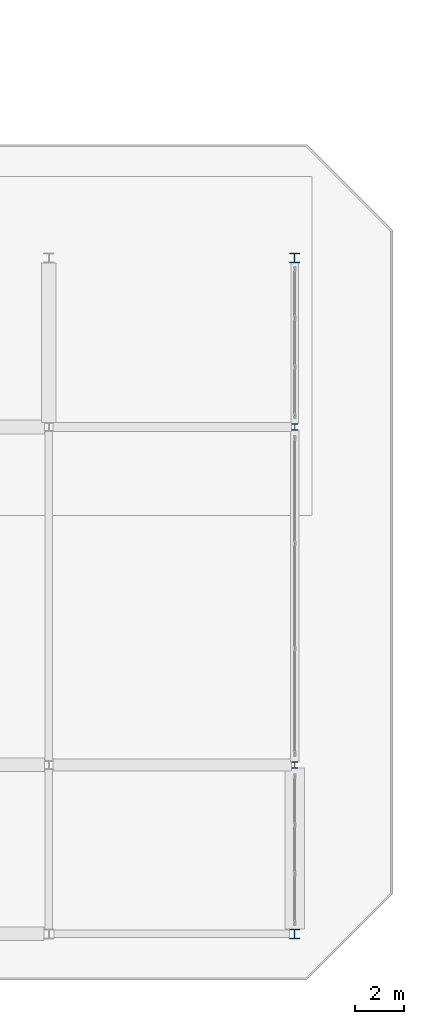
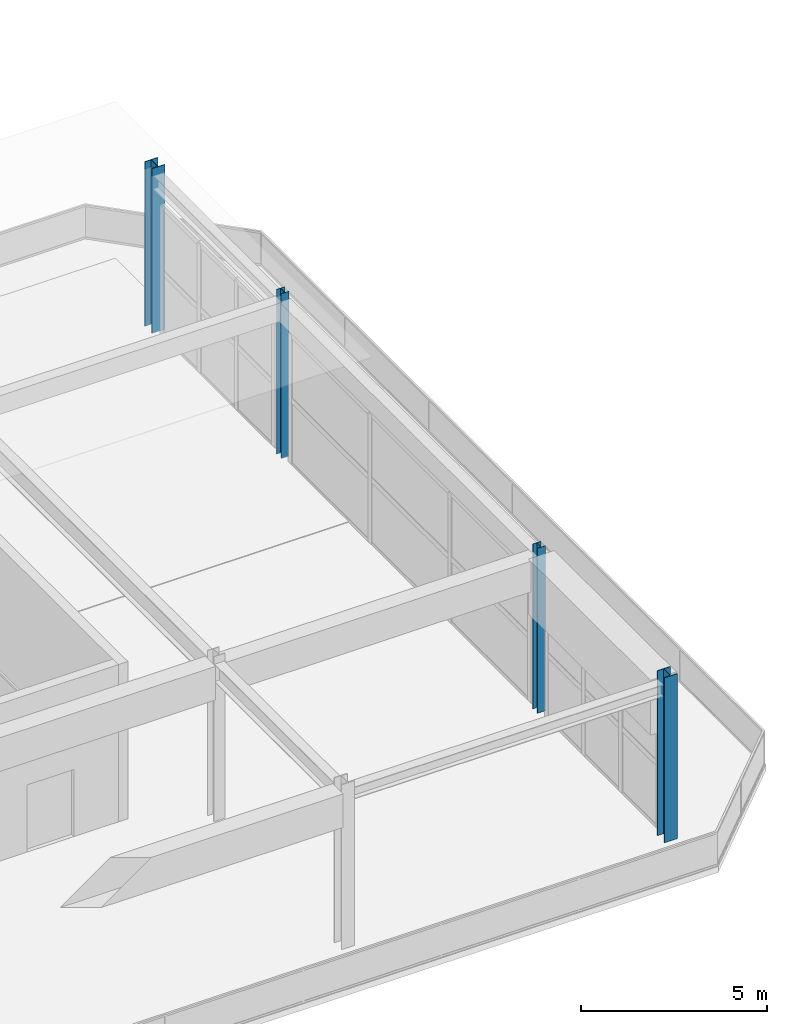
# One storey, part 11 of 117: 4 columns.
"""IFC4 building model written with IfcOpenShell, lengths in metres."""

import ifcopenshell
import ifcopenshell.guid

model = None  # the IFC model being written
_history = None  # IfcOwnerHistory: only IFC2X3 demands one
_inside = {}  # id of a spatial element -> (the spatial element, [elements in it])
_under = {}  # id of a project, library or spatial element -> (it, [spatial elements below it])
_declared = {}  # id of a project -> (the project, [libraries it declares])
_typed = {}  # id of a type object -> (the type object, [elements of that type])
_made_of = {}  # id of a material, layer set ... -> (it, [elements and type objects made of it])


def new_model(schema):
    """Start an empty IFC model of exactly this schema.

    Asked for "IFC4X3", IfcOpenShell would pick the latest addendum, in which some entities
    have other attributes; the version numbers below select the first issue.
    IFC2X3 requires an IfcOwnerHistory on every rooted entity: one is made here for all.
    """
    global model, _history
    if schema == "IFC4X3":
        model = ifcopenshell.file(schema_version=(4, 3, 0, 0))
    else:
        model = ifcopenshell.file(schema=schema)
    _inside.clear()
    _under.clear()
    _declared.clear()
    _typed.clear()
    _made_of.clear()
    _history = None
    if model.schema == "IFC2X3":
        org = make("IfcOrganization", Name="unknown")
        user = make(
            "IfcPersonAndOrganization",
            ThePerson=make("IfcPerson", FamilyName="unknown"),
            TheOrganization=org,
        )
        app = make(
            "IfcApplication",
            ApplicationDeveloper=org,
            Version="unknown",
            ApplicationFullName="unknown",
            ApplicationIdentifier="unknown",
        )
        _history = make(
            "IfcOwnerHistory",
            OwningUser=user,
            OwningApplication=app,
            ChangeAction="ADDED",
            CreationDate=0,
        )
    return model


def make(cls, **values):
    """One entity of the class cls with the attributes given. An attribute that is None is left unset."""
    return model.create_entity(
        cls, **{name: value for name, value in values.items() if value is not None}
    )


def rooted(cls, **values):
    """An entity with a GlobalId (a new one), such as an element, a storey or a relation."""
    return make(cls, GlobalId=ifcopenshell.guid.new(), OwnerHistory=_history, **values)


def si_unit(unit_type, name, prefix=None):
    """IfcSIUnit, for example si_unit("LENGTHUNIT", "METRE", prefix="MILLI")."""
    return make("IfcSIUnit", UnitType=unit_type, Prefix=prefix, Name=name)


def assignment(units):
    """IfcUnitAssignment: the units of a project."""
    return None if units is None else make("IfcUnitAssignment", Units=units)


def point(xyz):
    """IfcCartesianPoint."""
    return None if xyz is None else make("IfcCartesianPoint", Coordinates=xyz)


def direction(xyz):
    """IfcDirection."""
    return None if xyz is None else make("IfcDirection", DirectionRatios=xyz)


def frame(location, z_axis=None, x_axis=None):
    """IfcAxis2Placement3D, a coordinate frame: its origin and axes. An axis left out is left unset."""
    return make(
        "IfcAxis2Placement3D",
        Location=point(location),
        Axis=direction(z_axis),
        RefDirection=direction(x_axis),
    )


def frame_2d(location, x_axis=None):
    """IfcAxis2Placement2D, a coordinate frame in the plane: its origin and x axis."""
    return make(
        "IfcAxis2Placement2D", Location=point(location), RefDirection=direction(x_axis)
    )


def origin():
    """The frame at (0, 0, 0) with its axes left unset."""
    return frame((0.0, 0.0, 0.0))


def origin_2d():
    """The frame at (0, 0) in the plane with its x axis left unset."""
    return frame_2d((0.0, 0.0))


def place(relative_to, where):
    """IfcLocalPlacement: puts the frame where relative to a parent placement (None: the world)."""
    return make(
        "IfcLocalPlacement", PlacementRelTo=relative_to, RelativePlacement=where
    )


def context(
    kind, dimensions, precision=None, world=None, true_north=None, identifier=None
):
    """IfcGeometricRepresentationContext, for example the 3D "Model" context."""
    return make(
        "IfcGeometricRepresentationContext",
        ContextIdentifier=identifier,
        ContextType=kind,
        CoordinateSpaceDimension=dimensions,
        Precision=precision,
        WorldCoordinateSystem=world,
        TrueNorth=true_north,
    )


def subcontext(parent, identifier, kind, view, scale=None):
    """IfcGeometricRepresentationSubContext, for example "Body" below "Model"."""
    return make(
        "IfcGeometricRepresentationSubContext",
        ContextIdentifier=identifier,
        ContextType=kind,
        ParentContext=parent,
        TargetScale=scale,
        TargetView=view,
    )


def project(units=None, contexts=None):
    """IfcProject with its units and contexts."""
    return rooted(
        "IfcProject",
        Name="project",
        RepresentationContexts=contexts,
        UnitsInContext=assignment(units),
    )


def spatial(cls, under=None, at=None, **own):
    """A site, building, storey or space (cls), placed at a placement, below another one or the project."""
    s = rooted(cls, ObjectPlacement=at, **own)
    if under is not None:
        _under.setdefault(under.id(), (under, []))[1].append(s)
    return s


def profile(cls, at=None, kind="AREA", **sizes):
    """A parametric profile (cls). Its sizes go by their IFC names, for example OverallWidth=200.0."""
    return make(cls, ProfileType=kind, Position=at, **sizes)


def i_section(**sizes):
    """IfcIShapeProfileDef."""
    return profile("IfcIShapeProfileDef", **sizes)


def extrude(swept, where, along, depth):
    """IfcExtrudedAreaSolid: the profile swept, set in the frame where, extruded along a direction by depth."""
    return make(
        "IfcExtrudedAreaSolid",
        SweptArea=swept,
        Position=where,
        ExtrudedDirection=direction(along),
        Depth=depth,
    )


def shape(context_of_items, identifier, shape_type, items):
    """IfcShapeRepresentation: the items that make up one representation, for example the "Body"."""
    return make(
        "IfcShapeRepresentation",
        ContextOfItems=context_of_items,
        RepresentationIdentifier=identifier,
        RepresentationType=shape_type,
        Items=items,
    )


def material(Name=None, Category=None):
    """IfcMaterial."""
    return make("IfcMaterial", Name=Name, Category=Category)


def material_profile(
    of_material, cross_section, Name=None, Category=None, Priority=None
):
    """IfcMaterialProfile: a cross section and its material."""
    return make(
        "IfcMaterialProfile",
        Name=Name,
        Material=of_material,
        Profile=cross_section,
        Priority=Priority,
        Category=Category,
    )


def profile_set(profiles, Name=None, composite=None):
    """IfcMaterialProfileSet."""
    return make(
        "IfcMaterialProfileSet",
        Name=Name,
        MaterialProfiles=profiles,
        CompositeProfile=composite,
    )


def made_of(thing, what):
    """Note that an element or type object is made of a material, layer set ...; save() writes the relation."""
    if what is not None:
        _made_of.setdefault(what.id(), (what, []))[1].append(thing)
    return thing


def type_object(cls, material=None, **own):
    """A type object (cls), such as IfcWallType, which elements share."""
    return made_of(rooted(cls, **own), material)


def element(
    cls,
    number,
    at=None,
    inside=None,
    cuts=None,
    type_object=None,
    material=None,
    context=None,
    identifier="Body",
    shape_type=None,
    held_by="IfcProductDefinitionShape",
    body=None,
    shapes=None,
    **own,
):
    """One element of the class cls, such as IfcWall. Its Tag is "e" and its number.

    at: its placement. inside: the storey or other place that contains it. cuts: it is an
    opening in that element (IfcRelVoidsElement). A single representation is given by context,
    identifier, shape_type and body (its items); several are given by shapes. held_by: the class
    of the entity that holds the representations. save() writes the other relations.
    """
    e = rooted(cls, Tag="e%d" % number, ObjectPlacement=at, **own)
    if body is not None:
        shapes = [shape(context, identifier, shape_type, body)]
    if shapes is not None:
        e.Representation = make(held_by, Representations=shapes)
    if inside is not None:
        _inside.setdefault(inside.id(), (inside, []))[1].append(e)
    if cuts is not None:
        rooted(
            "IfcRelVoidsElement", RelatingBuildingElement=cuts, RelatedOpeningElement=e
        )
    if type_object is not None:
        _typed.setdefault(type_object.id(), (type_object, []))[1].append(e)
    return made_of(e, material)


def aggregate(whole, parts):
    """IfcRelAggregates: a whole, such as a stair, and the parts it consists of."""
    return rooted("IfcRelAggregates", RelatingObject=whole, RelatedObjects=parts)


def save(model, path):
    """Write the relations noted so far, then the file.

    IfcRelAggregates (storeys below a building ...), IfcRelContainedInSpatialStructure (elements
    in a storey), IfcRelDefinesByType, IfcRelAssociatesMaterial and IfcRelDeclares: one each for
    every whole, place, type object, material and project.
    """
    for whole, parts in _under.values():
        aggregate(whole, parts)
    for where, things in _inside.values():
        rooted(
            "IfcRelContainedInSpatialStructure",
            RelatedElements=things,
            RelatingStructure=where,
        )
    for kind, things in _typed.values():
        rooted("IfcRelDefinesByType", RelatedObjects=things, RelatingType=kind)
    for what, things in _made_of.values():
        rooted("IfcRelAssociatesMaterial", RelatedObjects=things, RelatingMaterial=what)
    for by, libraries in _declared.values():
        rooted("IfcRelDeclares", RelatingContext=by, RelatedDefinitions=libraries)
    model.write(path)


model = new_model("IFC4")

# Units and contexts
model_context = context("Model", 3, precision=1e-05, world=origin(), true_north=direction((0.0, 1.0)))
body_context = subcontext(model_context, "Body", "Model", "MODEL_VIEW")
ifc_project = project(units=[si_unit("LENGTHUNIT", "METRE"), si_unit("AREAUNIT", "SQUARE_METRE"), si_unit("VOLUMEUNIT", "CUBIC_METRE"), si_unit("PLANEANGLEUNIT", "RADIAN"), si_unit("MASSUNIT", "GRAM", prefix="KILO")], contexts=[model_context])

# Site, building, storey
site_placement = place(None, origin())
site = spatial("IfcSite", under=ifc_project, at=site_placement, CompositionType="ELEMENT")
building_placement = place(site_placement, origin())
building = spatial("IfcBuilding", under=site, at=building_placement, Name="Linyun Crest Stadium", CompositionType="ELEMENT")
storey_placement = place(building_placement, frame((0.0, 0.0, 6.0)))
storey = spatial("IfcBuildingStorey", under=building, at=storey_placement, Name="L02", CompositionType="ELEMENT", Elevation=6.0)

# Columns
ifc_material_1 = material(Name="Steel Q355C", Category="steel")
ifc_material_profile_1 = material_profile(ifc_material_1, i_section(OverallWidth=0.39990234375, OverallDepth=0.39990234375, WebThickness=0.012939453125, FlangeThickness=0.02099609375, at=origin_2d()), Name="HW 400x400")
ifc_profile_set_1 = profile_set([ifc_material_profile_1], Name="Steel Q355C")
column_type_1 = type_object("IfcColumnType", Name="SC02", PredefinedType="COLUMN", material=ifc_profile_set_1)
for number, where, z_axis, x_axis, name in (
    (1, (94.0, -94.125, 0.0), (0.0, 0.0, 1.0), (1.0, 0.0, 0.0), "Column SC02 L02 936"),
    (2, (94.0, -66.625, 0.0), (0.0, 0.0, 1.0), (1.0, 0.0, 0.0), "Column SC02 L02 945"),
):
    element("IfcColumn", number, at=place(storey_placement, frame(where, z_axis=z_axis, x_axis=x_axis)), inside=storey, type_object=column_type_1, Name=name, PredefinedType="COLUMN", context=body_context, shape_type="SweptSolid", body=[
        extrude(i_section(OverallWidth=0.39990234375, OverallDepth=0.39990234375, WebThickness=0.012939453125, FlangeThickness=0.02099609375, at=origin_2d()), origin(), (0.0, 0.0, 1.0), 5.39990234375),
    ])
ifc_material_2 = material(Name="Steel Q355C", Category="steel")
ifc_material_profile_2 = material_profile(ifc_material_2, i_section(OverallWidth=0.25, OverallDepth=0.25, WebThickness=0.009033203125, FlangeThickness=0.013916015625, at=origin_2d()), Name="HW 250x250")
ifc_profile_set_2 = profile_set([ifc_material_profile_2], Name="Steel Q355C")
column_type_2 = type_object("IfcColumnType", Name="SC07", PredefinedType="COLUMN", material=ifc_profile_set_2)
for number, where, z_axis, x_axis, name in (
    (3, (94.0, -87.25, 0.0), (0.0, 0.0, 1.0), (1.0, 0.0, 0.0), "Column SC07 L02 939"),
    (4, (94.0, -73.5, 0.0), (0.0, 0.0, 1.0), (1.0, 0.0, 0.0), "Column SC07 L02 942"),
):
    element("IfcColumn", number, at=place(storey_placement, frame(where, z_axis=z_axis, x_axis=x_axis)), inside=storey, type_object=column_type_2, Name=name, PredefinedType="COLUMN", context=body_context, shape_type="SweptSolid", body=[
        extrude(i_section(OverallWidth=0.25, OverallDepth=0.25, WebThickness=0.009033203125, FlangeThickness=0.013916015625, at=origin_2d()), origin(), (0.0, 0.0, 1.0), 5.39990234375),
    ])

save(model, "model.ifc")
